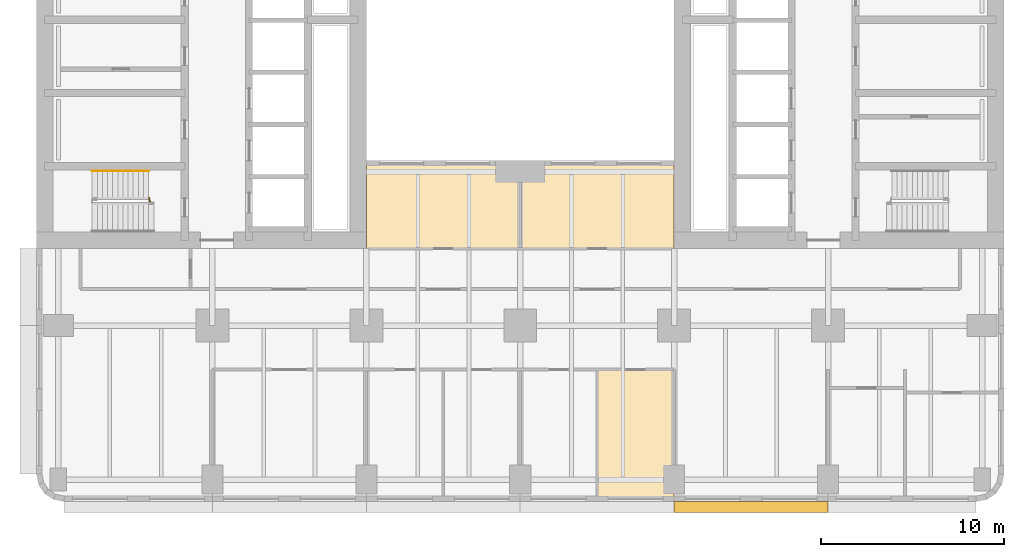
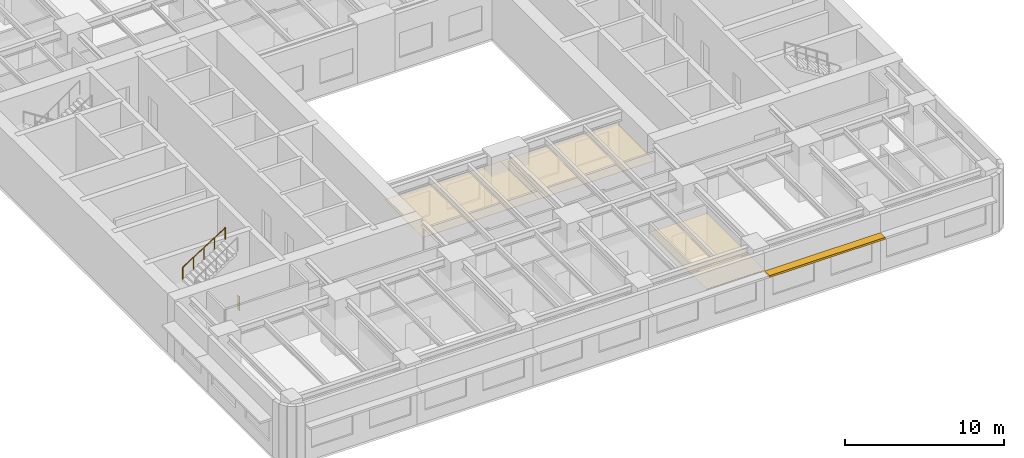
# One storey, part 10 of 14: 3 coverings, 2 railings, 1 shading device.
"""IFC4 building model written with IfcOpenShell, lengths in metres."""

from ifc_helpers import new_model, si_unit, direction, frame, origin, origin_2d, place, context, subcontext, project, spatial, polyline, rectangle, circle, outline, extrude, material, layer, layer_set, type_object, element, save


model = new_model("IFC4")

# Units and contexts
model_context = context("Model", 3, precision=1e-05, world=origin(), true_north=direction((0.0, 1.0)))
body_context = subcontext(model_context, "Body", "Model", "MODEL_VIEW")
ifc_project = project(units=[si_unit("LENGTHUNIT", "METRE"), si_unit("AREAUNIT", "SQUARE_METRE"), si_unit("VOLUMEUNIT", "CUBIC_METRE"), si_unit("PLANEANGLEUNIT", "RADIAN"), si_unit("MASSUNIT", "GRAM", prefix="KILO")], contexts=[model_context])

# Site, building, storey
site_placement = place(None, origin())
site = spatial("IfcSite", under=ifc_project, at=site_placement, CompositionType="ELEMENT")
building_placement = place(site_placement, origin())
building = spatial("IfcBuilding", under=site, at=building_placement, Name="Claustro Exchange Tower", CompositionType="ELEMENT")
storey_placement = place(building_placement, frame((0.0, 0.0, 59.39990234375)))
storey = spatial("IfcBuildingStorey", under=building, at=storey_placement, Name="L13", CompositionType="ELEMENT", Elevation=59.39990234375)

# Coverings
ifc_material_1 = material(Name="Gypsum board ceiling", Category="gypsum board")
ifc_layer_1 = layer(ifc_material_1, 0.02490234375)
ifc_layer_set_1 = layer_set([ifc_layer_1], Name="Gypsum board ceiling")
covering_type = type_object("IfcCoveringType", Name="CL2 plasterboard ceiling", PredefinedType="CEILING", material=ifc_layer_set_1)
covering_1_placement = place(storey_placement, frame((0.0, 0.0, 3.0)))
element("IfcCovering", 1, at=covering_1_placement, inside=storey, type_object=covering_type, Name="Ceiling CL2 L13-07", PredefinedType="CEILING", context=body_context, shape_type="SweptSolid", body=[
    extrude(outline(polyline([(29.39990234375, -1.199951171875), (33.60009765625, -1.199951171875), (33.60009765625, 6.0), (29.39990234375, 6.0), (29.39990234375, -1.199951171875)])), origin(), (0.0, 0.0, 1.0), 0.025146484375),
])
covering_2_placement = place(storey_placement, frame((0.0, 0.0, 3.0)))
element("IfcCovering", 2, at=covering_2_placement, inside=storey, type_object=covering_type, Name="Ceiling CL2 L13-11", PredefinedType="CEILING", context=body_context, shape_type="SweptSolid", body=[
    extrude(outline(polyline([(16.800048828125, 17.39990234375), (16.800048828125, 12.60009765625), (25.199951171875, 12.60009765625), (25.199951171875, 17.39990234375), (16.800048828125, 17.39990234375)])), origin(), (0.0, 0.0, 1.0), 0.025146484375),
])
covering_3_placement = place(storey_placement, frame((0.0, 0.0, 3.0)))
element("IfcCovering", 3, at=covering_3_placement, inside=storey, type_object=covering_type, Name="Ceiling CL2 L13-12", PredefinedType="CEILING", context=body_context, shape_type="SweptSolid", body=[
    extrude(outline(polyline([(33.60009765625, 17.39990234375), (25.199951171875, 17.39990234375), (25.199951171875, 12.60009765625), (33.60009765625, 12.60009765625), (33.60009765625, 17.39990234375)])), origin(), (0.0, 0.0, 1.0), 0.025146484375),
])

# Railings
ifc_material_2 = material(Name="Steel balustrade, painted", Category="steel")
railing_type_1 = type_object("IfcRailingType", Name="GR2 1100 steel stair guard", PredefinedType="GUARDRAIL", material=ifc_material_2)
railing_1_placement = place(storey_placement, frame((5.0, 15.169921875, 0.0)))
element("IfcRailing", 4, at=railing_1_placement, inside=storey, type_object=railing_type_1, Name="Stair guard GR2 STWA L13", PredefinedType="GUARDRAIL", context=body_context, shape_type="SweptSolid", body=[
    extrude(circle(Radius=0.02392578125, at=origin_2d()), frame((0.0, 0.0, 1.076171875), z_axis=(0.0, 1.0, 0.0), x_axis=(-1.0, 0.0, 0.0)), (0.0, 0.0, 1.0), 0.030029296875),
    extrude(circle(Radius=0.02392578125, at=origin_2d()), frame((0.0, 0.030029296875, 1.076171875), z_axis=(-1.0, 0.0, 0.0), x_axis=(0.0, -1.0, 0.0)), (0.0, 0.0, 1.0), 0.054931640625),
    extrude(circle(Radius=0.02392578125, at=origin_2d()), frame((-0.054931640625, 0.030029296875, 1.076171875), z_axis=(0.0, 1.0, 0.0), x_axis=(-1.0, 0.0, 0.0)), (0.0, 0.0, 1.0), 0.179931640625),
    extrude(circle(Radius=0.02099609375, at=origin_2d()), origin(), (0.0, 0.0, 1.0), 1.052001953125),
    extrude(circle(Radius=0.02099609375, at=origin_2d()), frame((0.0, 0.030029296875, 0.0)), (0.0, 0.0, 1.0), 1.052001953125),
    extrude(circle(Radius=0.02099609375, at=origin_2d()), frame((-0.054931640625, 0.030029296875, 0.0)), (0.0, 0.0, 1.0), 1.052001953125),
    extrude(circle(Radius=0.02099609375, at=origin_2d()), frame((-0.054931640625, 0.2099609375, 0.0)), (0.0, 0.0, 1.0), 1.052001953125),
])
ifc_material_3 = material(Name="Stainless steel tube", Category="steel")
railing_type_2 = type_object("IfcRailingType", Name="HR1 900 stair handrail", PredefinedType="HANDRAIL", material=ifc_material_3)
railing_2_placement = place(storey_placement, frame((1.840087890625, 16.840087890625, 2.52001953125)))
element("IfcRailing", 5, at=railing_2_placement, inside=storey, type_object=railing_type_2, Name="Handrail HR1 stair STWA L13", PredefinedType="HANDRAIL", context=body_context, shape_type="SweptSolid", body=[
    extrude(circle(Radius=0.02392578125, at=origin_2d()), frame((0.0, 0.0, 0.8759765625), z_axis=(0.841167642724, 0.0, 0.540774441735), x_axis=(0.0, 1.0, 0.0)), (0.0, 0.0, 1.0), 3.661376953125),
    extrude(circle(Radius=0.02099609375, at=origin_2d()), origin(), (0.0, 0.0, 1.0), 0.851806640625),
    extrude(circle(Radius=0.02099609375, at=origin_2d()), frame((0.77001953125, 0.0, 0.4951171875)), (0.0, 0.0, 1.0), 0.851806640625),
    extrude(circle(Radius=0.02099609375, at=origin_2d()), frame((1.5400390625, 0.0, 0.989990234375)), (0.0, 0.0, 1.0), 0.851806640625),
    extrude(circle(Radius=0.02099609375, at=origin_2d()), frame((2.309814453125, 0.0, 1.48486328125)), (0.0, 0.0, 1.0), 0.851806640625),
    extrude(circle(Radius=0.02099609375, at=origin_2d()), frame((3.079833984375, 0.0, 1.97998046875)), (0.0, 0.0, 1.0), 0.851806640625),
])

# Shading device
ifc_material_4 = material(Name="Concrete HA-40 (C40/50), precast, white cement, acid-etched", Category="concrete")
ifc_layer_2 = layer(ifc_material_4, 0.14990234375)
ifc_layer_set_2 = layer_set([ifc_layer_2], Name="Concrete HA-40 (C40/50), precast, white cement, acid-etched")
shading_device_type = type_object("IfcShadingDeviceType", Name="SS1 600 precast concrete SUNSHADE", PredefinedType="SHUTTER", material=ifc_layer_set_2)
shading_device_placement = place(storey_placement, frame((37.800048828125, -1.5, 2.800048828125), z_axis=(0.0, 0.0, 1.0), x_axis=(-1.0, 0.0, 0.0)))
element("IfcShadingDevice", 6, at=shading_device_placement, inside=storey, type_object=shading_device_type, Name="Precast SUNSHADE SS1 L13", PredefinedType="SHUTTER", context=body_context, shape_type="SweptSolid", body=[
    extrude(rectangle(XDim=8.39990234375, YDim=0.60009765625, at=origin_2d()), origin(), (0.0, 0.0, 1.0), 0.14990234375),
])

save(model, "model.ifc")
